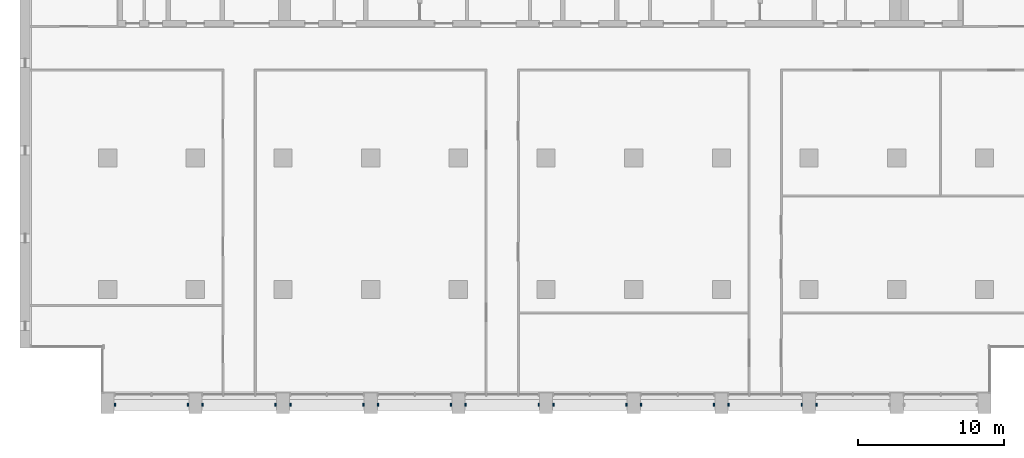
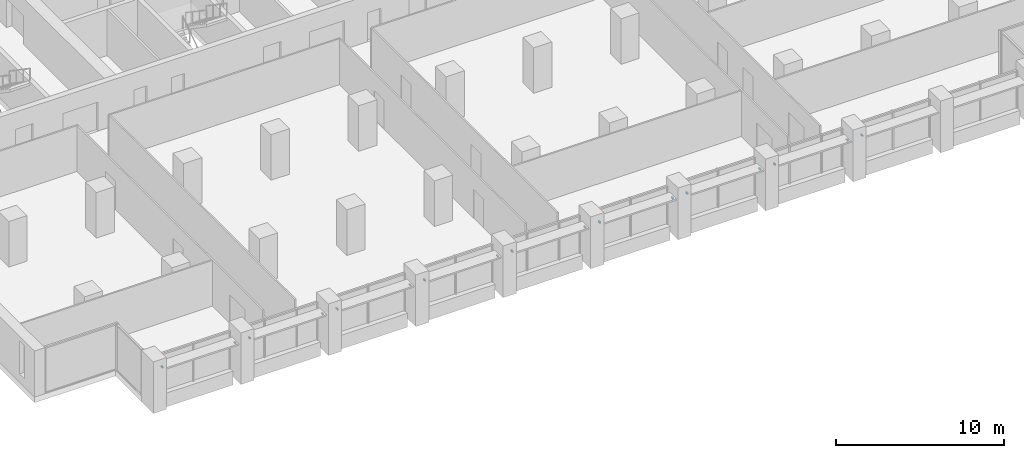
# One storey, part 14 of 16: 17 discrete accessories.
"""IFC4 building model written with IfcOpenShell, lengths in metres."""

from ifc_helpers import new_model, si_unit, direction, frame, origin, origin_2d, place, context, subcontext, project, spatial, rectangle, extrude, element, save


model = new_model("IFC4")

# Units and contexts
model_context = context("Model", 3, precision=1e-05, world=origin(), true_north=direction((0.0, 1.0)))
body_context = subcontext(model_context, "Body", "Model", "MODEL_VIEW")
ifc_project = project(units=[si_unit("LENGTHUNIT", "METRE"), si_unit("AREAUNIT", "SQUARE_METRE"), si_unit("VOLUMEUNIT", "CUBIC_METRE"), si_unit("PLANEANGLEUNIT", "RADIAN"), si_unit("MASSUNIT", "GRAM", prefix="KILO")], contexts=[model_context])

# Site, building, storey
site_placement = place(None, origin())
site = spatial("IfcSite", under=ifc_project, at=site_placement, CompositionType="ELEMENT")
building_placement = place(site_placement, origin())
building = spatial("IfcBuilding", under=site, at=building_placement, Name="Calvaro Tower", CompositionType="ELEMENT")
storey_placement = place(building_placement, frame((0.0, 0.0, 140.0)))
storey = spatial("IfcBuildingStorey", under=building, at=storey_placement, Name="L35", CompositionType="ELEMENT", Elevation=140.0)

# Discrete accessories
for number, where, z_axis, x_axis, name in (
    (1, (6.5, 2.10009765625, 2.25), (0.0, 0.0, 1.0), (1.0, 0.0, 0.0), "Brise-soleil bracket"),
    (2, (11.5, 2.10009765625, 2.25), (0.0, 0.0, 1.0), (1.0, 0.0, 0.0), "Brise-soleil bracket"),
    (3, (12.5, 2.10009765625, 2.25), (0.0, 0.0, 1.0), (1.0, 0.0, 0.0), "Brise-soleil bracket"),
    (4, (17.5, 2.10009765625, 2.25), (0.0, 0.0, 1.0), (1.0, 0.0, 0.0), "Brise-soleil bracket"),
    (5, (18.5, 2.10009765625, 2.25), (0.0, 0.0, 1.0), (1.0, 0.0, 0.0), "Brise-soleil bracket"),
    (6, (23.5, 2.10009765625, 2.25), (0.0, 0.0, 1.0), (1.0, 0.0, 0.0), "Brise-soleil bracket"),
    (7, (24.5, 2.10009765625, 2.25), (0.0, 0.0, 1.0), (1.0, 0.0, 0.0), "Brise-soleil bracket"),
    (8, (29.5, 2.10009765625, 2.25), (0.0, 0.0, 1.0), (1.0, 0.0, 0.0), "Brise-soleil bracket"),
    (9, (30.5, 2.10009765625, 2.25), (0.0, 0.0, 1.0), (1.0, 0.0, 0.0), "Brise-soleil bracket"),
    (10, (35.5, 2.10009765625, 2.25), (0.0, 0.0, 1.0), (1.0, 0.0, 0.0), "Brise-soleil bracket"),
    (11, (36.5, 2.10009765625, 2.25), (0.0, 0.0, 1.0), (1.0, 0.0, 0.0), "Brise-soleil bracket"),
    (12, (41.5, 2.10009765625, 2.25), (0.0, 0.0, 1.0), (1.0, 0.0, 0.0), "Brise-soleil bracket"),
    (13, (42.5, 2.10009765625, 2.25), (0.0, 0.0, 1.0), (1.0, 0.0, 0.0), "Brise-soleil bracket"),
    (14, (47.5, 2.10009765625, 2.25), (0.0, 0.0, 1.0), (1.0, 0.0, 0.0), "Brise-soleil bracket"),
    (15, (48.5, 2.10009765625, 2.25), (0.0, 0.0, 1.0), (1.0, 0.0, 0.0), "Brise-soleil bracket"),
    (16, (53.5, 2.10009765625, 2.25), (0.0, 0.0, 1.0), (1.0, 0.0, 0.0), "Brise-soleil bracket"),
    (17, (54.5, 2.10009765625, 2.25), (0.0, 0.0, 1.0), (1.0, 0.0, 0.0), "Brise-soleil bracket"),
):
    element("IfcDiscreteAccessory", number, at=place(storey_placement, frame(where, z_axis=z_axis, x_axis=x_axis)), inside=storey, Name=name, PredefinedType="BRACKET", context=body_context, shape_type="SweptSolid", body=[
        extrude(rectangle(XDim=0.10009765625, YDim=0.199951171875, at=origin_2d()), origin(), (0.0, 0.0, 1.0), 0.10009765625),
    ])

save(model, "model.ifc")
